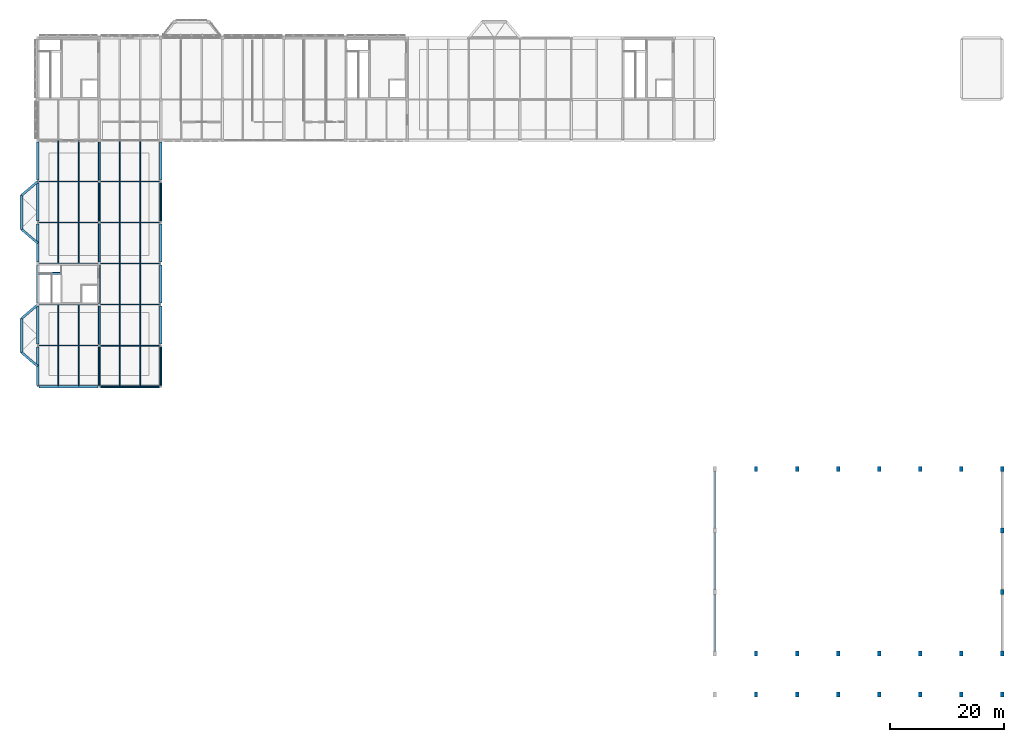
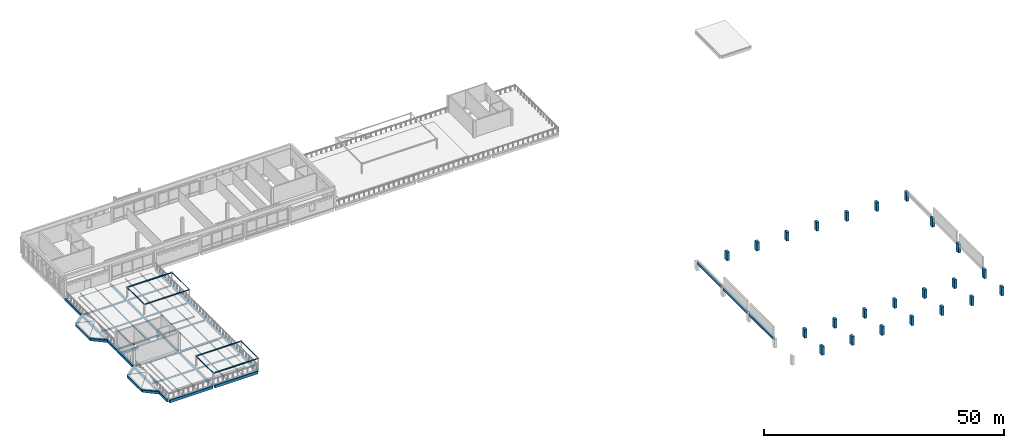
# One storey, part 7 of 33: 62 beams, 23 columns, 8 members.
"""IFC4 building model written with IfcOpenShell, lengths in metres."""

from ifc_helpers import new_model, si_unit, direction, frame, origin, origin_2d, place, context, subcontext, project, spatial, rectangle, hollow_rectangle, hollow_circle, i_section, extrude, material, material_profile, profile_set, type_object, element, save


model = new_model("IFC4")

# Units and contexts
model_context = context("Model", 3, precision=1e-05, world=origin(), true_north=direction((0.0, 1.0)))
body_context = subcontext(model_context, "Body", "Model", "MODEL_VIEW")
ifc_project = project(units=[si_unit("LENGTHUNIT", "METRE"), si_unit("AREAUNIT", "SQUARE_METRE"), si_unit("VOLUMEUNIT", "CUBIC_METRE"), si_unit("PLANEANGLEUNIT", "RADIAN"), si_unit("MASSUNIT", "GRAM", prefix="KILO")], contexts=[model_context])

# Site, building, storey
site_placement = place(None, origin())
site = spatial("IfcSite", under=ifc_project, at=site_placement, CompositionType="ELEMENT")
building_placement = place(site_placement, origin())
building = spatial("IfcBuilding", under=site, at=building_placement, Name="Lusvemor Sports Hall", CompositionType="ELEMENT")
storey_placement = place(building_placement, frame((0.0, 0.0, 19.199951171875)))
storey = spatial("IfcBuildingStorey", under=building, at=storey_placement, Name="L04", CompositionType="ELEMENT", Elevation=19.199951171875)

# Columns
ifc_material_1 = material(Name="Concrete C40/50", Category="concrete")
ifc_material_profile_1 = material_profile(ifc_material_1, rectangle(XDim=0.60009765625, YDim=0.89990234375, at=origin_2d()), Name="RC600x900")
ifc_profile_set_1 = profile_set([ifc_material_profile_1], Name="Concrete C40/50")
column_type = type_object("IfcColumnType", Name="COL_STACK_E", PredefinedType="COLUMN", material=ifc_profile_set_1)
for number, where, z_axis, x_axis, name in (
    (1, (126.0, 0.0, 0.0), (0.0, 0.0, 1.0), (1.0, 0.0, 0.0), "Column 14/A (L04)"),
    (2, (126.0, 7.199951171875, 0.0), (0.0, 0.0, 1.0), (1.0, 0.0, 0.0), "Column 14/B (L04)"),
    (3, (126.0, 39.60009765625, 0.0), (0.0, 0.0, 1.0), (1.0, 0.0, 0.0), "Column 14/E (L04)"),
    (4, (133.199951171875, 0.0, 0.0), (0.0, 0.0, 1.0), (1.0, 0.0, 0.0), "Column 15/A (L04)"),
    (5, (133.199951171875, 7.199951171875, 0.0), (0.0, 0.0, 1.0), (1.0, 0.0, 0.0), "Column 15/B (L04)"),
    (6, (133.199951171875, 39.60009765625, 0.0), (0.0, 0.0, 1.0), (1.0, 0.0, 0.0), "Column 15/E (L04)"),
    (7, (140.39990234375, 0.0, 0.0), (0.0, 0.0, 1.0), (1.0, 0.0, 0.0), "Column 16/A (L04)"),
    (8, (140.39990234375, 7.199951171875, 0.0), (0.0, 0.0, 1.0), (1.0, 0.0, 0.0), "Column 16/B (L04)"),
    (9, (140.39990234375, 39.60009765625, 0.0), (0.0, 0.0, 1.0), (1.0, 0.0, 0.0), "Column 16/E (L04)"),
    (10, (147.60009765625, 0.0, 0.0), (0.0, 0.0, 1.0), (1.0, 0.0, 0.0), "Column 17/A (L04)"),
    (11, (147.60009765625, 7.199951171875, 0.0), (0.0, 0.0, 1.0), (1.0, 0.0, 0.0), "Column 17/B (L04)"),
    (12, (147.60009765625, 39.60009765625, 0.0), (0.0, 0.0, 1.0), (1.0, 0.0, 0.0), "Column 17/E (L04)"),
    (13, (154.800048828125, 0.0, 0.0), (0.0, 0.0, 1.0), (1.0, 0.0, 0.0), "Column 18/A (L04)"),
    (14, (154.800048828125, 7.199951171875, 0.0), (0.0, 0.0, 1.0), (1.0, 0.0, 0.0), "Column 18/B (L04)"),
    (15, (154.800048828125, 39.60009765625, 0.0), (0.0, 0.0, 1.0), (1.0, 0.0, 0.0), "Column 18/E (L04)"),
    (16, (162.0, 0.0, 0.0), (0.0, 0.0, 1.0), (1.0, 0.0, 0.0), "Column 19/A (L04)"),
    (17, (162.0, 7.199951171875, 0.0), (0.0, 0.0, 1.0), (1.0, 0.0, 0.0), "Column 19/B (L04)"),
    (18, (162.0, 39.60009765625, 0.0), (0.0, 0.0, 1.0), (1.0, 0.0, 0.0), "Column 19/E (L04)"),
    (19, (169.199951171875, 0.0, 0.0), (0.0, 0.0, 1.0), (1.0, 0.0, 0.0), "Column 20/A (L04)"),
    (20, (169.199951171875, 7.199951171875, 0.0), (0.0, 0.0, 1.0), (1.0, 0.0, 0.0), "Column 20/B (L04)"),
    (21, (169.199951171875, 18.0, 0.0), (0.0, 0.0, 1.0), (1.0, 0.0, 0.0), "Column 20/C (L04)"),
    (22, (169.199951171875, 28.800048828125, 0.0), (0.0, 0.0, 1.0), (1.0, 0.0, 0.0), "Column 20/D (L04)"),
    (23, (169.199951171875, 39.60009765625, 0.0), (0.0, 0.0, 1.0), (1.0, 0.0, 0.0), "Column 20/E (L04)"),
):
    element("IfcColumn", number, at=place(storey_placement, frame(where, z_axis=z_axis, x_axis=x_axis)), inside=storey, type_object=column_type, Name=name, PredefinedType="COLUMN", context=body_context, shape_type="SweptSolid", body=[
        extrude(rectangle(XDim=0.60009765625, YDim=0.89990234375, at=origin_2d()), origin(), (0.0, 0.0, 1.0), 2.239990234375),
    ])

# Beams
ifc_material_2 = material(Name="Concrete C40/50", Category="concrete")
ifc_material_profile_2 = material_profile(ifc_material_2, rectangle(XDim=0.35009765625, YDim=0.550048828125, at=origin_2d()), Name="RC350x550")
ifc_profile_set_2 = profile_set([ifc_material_profile_2], Name="Concrete C40/50")
beam_type_1 = type_object("IfcBeamType", Name="BEAM_RC_550", PredefinedType="BEAM", material=ifc_profile_set_2)
for number, where, z_axis, x_axis, name in (
    (24, (10.800048828125, 54.24609375, -0.58984375), (0.0, 1.0, 0.0), (-1.0, 0.0, 0.0), "Beam L04 2:G-H"),
    (25, (10.800048828125, 61.446044921875, -0.58984375), (0.0, 1.0, 0.0), (-1.0, 0.0, 0.0), "Beam L04 2:H-J"),
    (26, (10.800048828125, 68.64599609375, -0.58984375), (0.0, 1.0, 0.0), (-1.0, 0.0, 0.0), "Beam L04 2:J-K"),
    (27, (10.800048828125, 75.845947265625, -0.58984375), (0.0, 1.0, 0.0), (-1.0, 0.0, 0.0), "Beam L04 2:K-L"),
    (28, (10.800048828125, 83.0458984375, -0.58984375), (0.0, 1.0, 0.0), (-1.0, 0.0, 0.0), "Beam L04 2:L-M"),
    (29, (10.800048828125, 90.24609375, -0.58984375), (0.0, 1.0, 0.0), (-1.0, 0.0, 0.0), "Beam L04 2:M-N"),
):
    element("IfcBeam", number, at=place(storey_placement, frame(where, z_axis=z_axis, x_axis=x_axis)), inside=storey, type_object=beam_type_1, Name=name, PredefinedType="BEAM", context=body_context, shape_type="SweptSolid", body=[
        extrude(rectangle(XDim=0.35009765625, YDim=0.550048828125, at=origin_2d()), origin(), (0.0, 0.0, 1.0), 6.7080078125),
    ])
beam_1_placement = place(storey_placement, frame((0.159912109375, 73.8798828125, -0.454833984375), z_axis=(1.0, 0.0, 0.0), x_axis=(0.0, 1.0, 0.0)))
element("IfcBeam", 30, at=beam_1_placement, inside=storey, type_object=beam_type_1, Name="Stair STR-C3-L03 Top-Landing Beam", PredefinedType="BEAM", context=body_context, shape_type="SweptSolid", body=[
    extrude(rectangle(XDim=0.35009765625, YDim=0.550048828125, at=origin_2d()), origin(), (0.0, 0.0, 1.0), 3.97998046875),
])
ifc_material_3 = material(Name="Steel S355", Category="steel")
ifc_material_profile_3 = material_profile(ifc_material_3, i_section(OverallWidth=0.180908203125, OverallDepth=0.4169921875, WebThickness=0.010986328125, FlangeThickness=0.018310546875, FilletRadius=0.01611328125, at=origin_2d()), Name="W410x85.0")
ifc_profile_set_3 = profile_set([ifc_material_profile_3], Name="Steel S355")
beam_type_2 = type_object("IfcBeamType", Name="BEAM_ST_410H", PredefinedType="BEAM", material=ifc_profile_set_3)
beam_2_placement = place(storey_placement, frame((0.236083984375, 61.199951171875, -0.52734375), z_axis=(1.0, 0.0, 0.0), x_axis=(0.0, 1.0, 0.0)))
element("IfcBeam", 31, at=beam_2_placement, inside=storey, type_object=beam_type_2, Name="Beam L04 H:1-2", PredefinedType="BEAM", context=body_context, shape_type="SweptSolid", body=[
    extrude(i_section(OverallWidth=0.180908203125, OverallDepth=0.4169921875, WebThickness=0.010986328125, FlangeThickness=0.018310546875, FilletRadius=0.01611328125, at=origin_2d()), origin(), (0.0, 0.0, 1.0), 10.31787109375),
])
beam_3_placement = place(storey_placement, frame((11.0458984375, 61.199951171875, -0.52734375), z_axis=(1.0, 0.0, 0.0), x_axis=(0.0, 1.0, 0.0)))
element("IfcBeam", 32, at=beam_3_placement, inside=storey, type_object=beam_type_2, Name="Beam L04 H:2-3", PredefinedType="BEAM", context=body_context, shape_type="SweptSolid", body=[
    extrude(i_section(OverallWidth=0.180908203125, OverallDepth=0.4169921875, WebThickness=0.010986328125, FlangeThickness=0.018310546875, FilletRadius=0.01611328125, at=origin_2d()), origin(), (0.0, 0.0, 1.0), 10.318115234375),
])
beam_4_placement = place(storey_placement, frame((0.236083984375, 68.39990234375, -0.52734375), z_axis=(1.0, 0.0, 0.0), x_axis=(0.0, 1.0, 0.0)))
element("IfcBeam", 33, at=beam_4_placement, inside=storey, type_object=beam_type_2, Name="Beam L04 J:1-2", PredefinedType="BEAM", context=body_context, shape_type="SweptSolid", body=[
    extrude(i_section(OverallWidth=0.180908203125, OverallDepth=0.4169921875, WebThickness=0.010986328125, FlangeThickness=0.018310546875, FilletRadius=0.01611328125, at=origin_2d()), origin(), (0.0, 0.0, 1.0), 10.31787109375),
])
beam_5_placement = place(storey_placement, frame((11.0458984375, 68.39990234375, -0.52734375), z_axis=(1.0, 0.0, 0.0), x_axis=(0.0, 1.0, 0.0)))
element("IfcBeam", 34, at=beam_5_placement, inside=storey, type_object=beam_type_2, Name="Beam L04 J:2-3", PredefinedType="BEAM", context=body_context, shape_type="SweptSolid", body=[
    extrude(i_section(OverallWidth=0.180908203125, OverallDepth=0.4169921875, WebThickness=0.010986328125, FlangeThickness=0.018310546875, FilletRadius=0.01611328125, at=origin_2d()), origin(), (0.0, 0.0, 1.0), 10.318115234375),
])
beam_6_placement = place(storey_placement, frame((0.236083984375, 75.60009765625, -0.52734375), z_axis=(1.0, 0.0, 0.0), x_axis=(0.0, 1.0, 0.0)))
element("IfcBeam", 35, at=beam_6_placement, inside=storey, type_object=beam_type_2, Name="Beam L04 K:1-2", PredefinedType="BEAM", context=body_context, shape_type="SweptSolid", body=[
    extrude(i_section(OverallWidth=0.180908203125, OverallDepth=0.4169921875, WebThickness=0.010986328125, FlangeThickness=0.018310546875, FilletRadius=0.01611328125, at=origin_2d()), origin(), (0.0, 0.0, 1.0), 10.31787109375),
])
beam_7_placement = place(storey_placement, frame((11.0458984375, 75.60009765625, -0.52734375), z_axis=(1.0, 0.0, 0.0), x_axis=(0.0, 1.0, 0.0)))
element("IfcBeam", 36, at=beam_7_placement, inside=storey, type_object=beam_type_2, Name="Beam L04 K:2-3", PredefinedType="BEAM", context=body_context, shape_type="SweptSolid", body=[
    extrude(i_section(OverallWidth=0.180908203125, OverallDepth=0.4169921875, WebThickness=0.010986328125, FlangeThickness=0.018310546875, FilletRadius=0.01611328125, at=origin_2d()), origin(), (0.0, 0.0, 1.0), 10.318115234375),
])
beam_8_placement = place(storey_placement, frame((0.236083984375, 82.800048828125, -0.52734375), z_axis=(1.0, 0.0, 0.0), x_axis=(0.0, 1.0, 0.0)))
element("IfcBeam", 37, at=beam_8_placement, inside=storey, type_object=beam_type_2, Name="Beam L04 L:1-2", PredefinedType="BEAM", context=body_context, shape_type="SweptSolid", body=[
    extrude(i_section(OverallWidth=0.180908203125, OverallDepth=0.4169921875, WebThickness=0.010986328125, FlangeThickness=0.018310546875, FilletRadius=0.01611328125, at=origin_2d()), origin(), (0.0, 0.0, 1.0), 10.31787109375),
])
beam_9_placement = place(storey_placement, frame((11.0458984375, 82.800048828125, -0.52734375), z_axis=(1.0, 0.0, 0.0), x_axis=(0.0, 1.0, 0.0)))
element("IfcBeam", 38, at=beam_9_placement, inside=storey, type_object=beam_type_2, Name="Beam L04 L:2-3", PredefinedType="BEAM", context=body_context, shape_type="SweptSolid", body=[
    extrude(i_section(OverallWidth=0.180908203125, OverallDepth=0.4169921875, WebThickness=0.010986328125, FlangeThickness=0.018310546875, FilletRadius=0.01611328125, at=origin_2d()), origin(), (0.0, 0.0, 1.0), 10.318115234375),
])
beam_10_placement = place(storey_placement, frame((0.236083984375, 90.0, -0.52734375), z_axis=(1.0, 0.0, 0.0), x_axis=(0.0, 1.0, 0.0)))
element("IfcBeam", 39, at=beam_10_placement, inside=storey, type_object=beam_type_2, Name="Beam L04 M:1-2", PredefinedType="BEAM", context=body_context, shape_type="SweptSolid", body=[
    extrude(i_section(OverallWidth=0.180908203125, OverallDepth=0.4169921875, WebThickness=0.010986328125, FlangeThickness=0.018310546875, FilletRadius=0.01611328125, at=origin_2d()), origin(), (0.0, 0.0, 1.0), 10.31787109375),
])
beam_11_placement = place(storey_placement, frame((11.0458984375, 90.0, -0.52734375), z_axis=(1.0, 0.0, 0.0), x_axis=(0.0, 1.0, 0.0)))
element("IfcBeam", 40, at=beam_11_placement, inside=storey, type_object=beam_type_2, Name="Beam L04 M:2-3", PredefinedType="BEAM", context=body_context, shape_type="SweptSolid", body=[
    extrude(i_section(OverallWidth=0.180908203125, OverallDepth=0.4169921875, WebThickness=0.010986328125, FlangeThickness=0.018310546875, FilletRadius=0.01611328125, at=origin_2d()), origin(), (0.0, 0.0, 1.0), 10.318115234375),
])

# Members
ifc_material_4 = material(Name="Steel S355", Category="steel")
ifc_material_profile_4 = material_profile(ifc_material_4, hollow_circle(Radius=0.05712890625, WallThickness=0.00634765625, at=origin_2d()), Name="CHS114.3x6.3")
ifc_profile_set_4 = profile_set([ifc_material_profile_4], Name="Steel S355")
member_type_1 = type_object("IfcMemberType", Name="BRACE_CANOPY_114", PredefinedType="BRACE", material=ifc_profile_set_4)
for number, where, z_axis, x_axis, name in (
    (41, (10.800048828125, 54.0, 2.760009765625), (0.0, 1.0, 0.0), (-1.0, 0.0, 0.0), "Pergola Longitudinal Runner PERG-L04-WS-A"),
    (42, (21.60009765625, 54.0, 2.760009765625), (0.0, 1.0, 0.0), (-1.0, 0.0, 0.0), "Pergola Longitudinal Runner PERG-L04-WS-B"),
    (43, (10.800048828125, 82.800048828125, 2.760009765625), (0.0, 1.0, 0.0), (-1.0, 0.0, 0.0), "Pergola Longitudinal Runner PERG-L04-WN-A"),
    (44, (21.60009765625, 82.800048828125, 2.760009765625), (0.0, 1.0, 0.0), (-1.0, 0.0, 0.0), "Pergola Longitudinal Runner PERG-L04-WN-B"),
):
    element("IfcMember", number, at=place(storey_placement, frame(where, z_axis=z_axis, x_axis=x_axis)), inside=storey, type_object=member_type_1, Name=name, PredefinedType="BRACE", context=body_context, shape_type="SweptSolid", body=[
        extrude(hollow_circle(Radius=0.05712890625, WallThickness=0.00634765625, at=origin_2d()), origin(), (0.0, 0.0, 1.0), 7.199951171875),
    ])

# Beams
ifc_material_5 = material(Name="Steel S355", Category="steel")
ifc_material_profile_5 = material_profile(ifc_material_5, i_section(OverallWidth=0.14794921875, OverallDepth=0.26611328125, WebThickness=0.007568359375, FlangeThickness=0.012939453125, FilletRadius=0.012939453125, at=origin_2d()), Name="W250x44.8")
ifc_profile_set_5 = profile_set([ifc_material_profile_5], Name="Steel S355")
beam_type_3 = type_object("IfcBeamType", Name="JOIST_ST_250M", PredefinedType="JOIST", material=ifc_profile_set_5)
beam_12_placement = place(storey_placement, frame((7.199951171875, 54.196044921875, -0.451904296875), z_axis=(0.0, 1.0, 0.0), x_axis=(-1.0, 0.0, 0.0)))
element("IfcBeam", 45, at=beam_12_placement, inside=storey, type_object=beam_type_3, Name="Secondary Joist L04 1-2/G-H #2", PredefinedType="JOIST", context=body_context, shape_type="SweptSolid", body=[
    extrude(i_section(OverallWidth=0.14794921875, OverallDepth=0.26611328125, WebThickness=0.007568359375, FlangeThickness=0.012939453125, FilletRadius=0.012939453125, at=origin_2d()), origin(), (0.0, 0.0, 1.0), 6.91748046875),
])
for number, where, z_axis, x_axis, name in (
    (46, (7.199951171875, 61.28662109375, -0.451904296875), (0.0, 1.0, 0.0), (-1.0, 0.0, 0.0), "Secondary Joist L04 1-2/H-J #2"),
    (47, (7.199951171875, 75.6865234375, -0.451904296875), (0.0, 1.0, 0.0), (-1.0, 0.0, 0.0), "Secondary Joist L04 1-2/K-L #2"),
):
    element("IfcBeam", number, at=place(storey_placement, frame(where, z_axis=z_axis, x_axis=x_axis)), inside=storey, type_object=beam_type_3, Name=name, PredefinedType="JOIST", context=body_context, shape_type="SweptSolid", body=[
        extrude(i_section(OverallWidth=0.14794921875, OverallDepth=0.26611328125, WebThickness=0.007568359375, FlangeThickness=0.012939453125, FilletRadius=0.012939453125, at=origin_2d()), origin(), (0.0, 0.0, 1.0), 7.02685546875),
    ])
for number, where, z_axis, x_axis, name in (
    (48, (7.199951171875, 82.886474609375, -0.451904296875), (0.0, 1.0, 0.0), (-1.0, 0.0, 0.0), "Secondary Joist L04 1-2/L-M #2"),
    (49, (7.199951171875, 90.08642578125, -0.451904296875), (0.0, 1.0, 0.0), (-1.0, 0.0, 0.0), "Secondary Joist L04 1-2/M-N #2"),
):
    element("IfcBeam", number, at=place(storey_placement, frame(where, z_axis=z_axis, x_axis=x_axis)), inside=storey, type_object=beam_type_3, Name=name, PredefinedType="JOIST", context=body_context, shape_type="SweptSolid", body=[
        extrude(i_section(OverallWidth=0.14794921875, OverallDepth=0.26611328125, WebThickness=0.007568359375, FlangeThickness=0.012939453125, FilletRadius=0.012939453125, at=origin_2d()), origin(), (0.0, 0.0, 1.0), 7.027099609375),
    ])
beam_13_placement = place(storey_placement, frame((18.0, 54.196044921875, -0.451904296875), z_axis=(0.0, 1.0, 0.0), x_axis=(-1.0, 0.0, 0.0)))
element("IfcBeam", 50, at=beam_13_placement, inside=storey, type_object=beam_type_3, Name="Secondary Joist L04 2-3/G-H #2", PredefinedType="JOIST", context=body_context, shape_type="SweptSolid", body=[
    extrude(i_section(OverallWidth=0.14794921875, OverallDepth=0.26611328125, WebThickness=0.007568359375, FlangeThickness=0.012939453125, FilletRadius=0.012939453125, at=origin_2d()), origin(), (0.0, 0.0, 1.0), 6.91748046875),
])
for number, where, z_axis, x_axis, name in (
    (51, (18.0, 61.28662109375, -0.451904296875), (0.0, 1.0, 0.0), (-1.0, 0.0, 0.0), "Secondary Joist L04 2-3/H-J #2"),
    (52, (18.0, 68.486572265625, -0.451904296875), (0.0, 1.0, 0.0), (-1.0, 0.0, 0.0), "Secondary Joist L04 2-3/J-K #2"),
    (53, (18.0, 75.6865234375, -0.451904296875), (0.0, 1.0, 0.0), (-1.0, 0.0, 0.0), "Secondary Joist L04 2-3/K-L #2"),
):
    element("IfcBeam", number, at=place(storey_placement, frame(where, z_axis=z_axis, x_axis=x_axis)), inside=storey, type_object=beam_type_3, Name=name, PredefinedType="JOIST", context=body_context, shape_type="SweptSolid", body=[
        extrude(i_section(OverallWidth=0.14794921875, OverallDepth=0.26611328125, WebThickness=0.007568359375, FlangeThickness=0.012939453125, FilletRadius=0.012939453125, at=origin_2d()), origin(), (0.0, 0.0, 1.0), 7.02685546875),
    ])
for number, where, z_axis, x_axis, name in (
    (54, (18.0, 82.886474609375, -0.451904296875), (0.0, 1.0, 0.0), (-1.0, 0.0, 0.0), "Secondary Joist L04 2-3/L-M #2"),
    (55, (18.0, 90.08642578125, -0.451904296875), (0.0, 1.0, 0.0), (-1.0, 0.0, 0.0), "Secondary Joist L04 2-3/M-N #2"),
):
    element("IfcBeam", number, at=place(storey_placement, frame(where, z_axis=z_axis, x_axis=x_axis)), inside=storey, type_object=beam_type_3, Name=name, PredefinedType="JOIST", context=body_context, shape_type="SweptSolid", body=[
        extrude(i_section(OverallWidth=0.14794921875, OverallDepth=0.26611328125, WebThickness=0.007568359375, FlangeThickness=0.012939453125, FilletRadius=0.012939453125, at=origin_2d()), origin(), (0.0, 0.0, 1.0), 7.027099609375),
    ])
ifc_material_6 = material(Name="Steel S355", Category="steel")
ifc_material_profile_6 = material_profile(ifc_material_6, i_section(OverallWidth=0.1669921875, OverallDepth=0.31689453125, WebThickness=0.007568359375, FlangeThickness=0.01318359375, FilletRadius=0.014892578125, at=origin_2d()), Name="W310x52.0")
ifc_profile_set_6 = profile_set([ifc_material_profile_6], Name="Steel S355")
beam_type_4 = type_object("IfcBeamType", Name="JOIST_ST_310M", PredefinedType="JOIST", material=ifc_profile_set_6)
beam_14_placement = place(storey_placement, frame((3.60009765625, 54.196044921875, -0.4775390625), z_axis=(0.0, 1.0, 0.0), x_axis=(-1.0, 0.0, 0.0)))
element("IfcBeam", 56, at=beam_14_placement, inside=storey, type_object=beam_type_4, Name="Secondary Joist L04 1-2/G-H #1", PredefinedType="JOIST", context=body_context, shape_type="SweptSolid", body=[
    extrude(i_section(OverallWidth=0.1669921875, OverallDepth=0.31689453125, WebThickness=0.007568359375, FlangeThickness=0.01318359375, FilletRadius=0.014892578125, at=origin_2d()), origin(), (0.0, 0.0, 1.0), 6.91748046875),
])
for number, where, z_axis, x_axis, name in (
    (57, (3.60009765625, 61.28662109375, -0.4775390625), (0.0, 1.0, 0.0), (-1.0, 0.0, 0.0), "Secondary Joist L04 1-2/H-J #1"),
    (58, (3.60009765625, 75.6865234375, -0.4775390625), (0.0, 1.0, 0.0), (-1.0, 0.0, 0.0), "Secondary Joist L04 1-2/K-L #1"),
):
    element("IfcBeam", number, at=place(storey_placement, frame(where, z_axis=z_axis, x_axis=x_axis)), inside=storey, type_object=beam_type_4, Name=name, PredefinedType="JOIST", context=body_context, shape_type="SweptSolid", body=[
        extrude(i_section(OverallWidth=0.1669921875, OverallDepth=0.31689453125, WebThickness=0.007568359375, FlangeThickness=0.01318359375, FilletRadius=0.014892578125, at=origin_2d()), origin(), (0.0, 0.0, 1.0), 7.02685546875),
    ])
for number, where, z_axis, x_axis, name in (
    (59, (3.60009765625, 82.886474609375, -0.4775390625), (0.0, 1.0, 0.0), (-1.0, 0.0, 0.0), "Secondary Joist L04 1-2/L-M #1"),
    (60, (3.60009765625, 90.08642578125, -0.4775390625), (0.0, 1.0, 0.0), (-1.0, 0.0, 0.0), "Secondary Joist L04 1-2/M-N #1"),
):
    element("IfcBeam", number, at=place(storey_placement, frame(where, z_axis=z_axis, x_axis=x_axis)), inside=storey, type_object=beam_type_4, Name=name, PredefinedType="JOIST", context=body_context, shape_type="SweptSolid", body=[
        extrude(i_section(OverallWidth=0.1669921875, OverallDepth=0.31689453125, WebThickness=0.007568359375, FlangeThickness=0.01318359375, FilletRadius=0.014892578125, at=origin_2d()), origin(), (0.0, 0.0, 1.0), 7.027099609375),
    ])
beam_15_placement = place(storey_placement, frame((14.39990234375, 54.196044921875, -0.4775390625), z_axis=(0.0, 1.0, 0.0), x_axis=(-1.0, 0.0, 0.0)))
element("IfcBeam", 61, at=beam_15_placement, inside=storey, type_object=beam_type_4, Name="Secondary Joist L04 2-3/G-H #1", PredefinedType="JOIST", context=body_context, shape_type="SweptSolid", body=[
    extrude(i_section(OverallWidth=0.1669921875, OverallDepth=0.31689453125, WebThickness=0.007568359375, FlangeThickness=0.01318359375, FilletRadius=0.014892578125, at=origin_2d()), origin(), (0.0, 0.0, 1.0), 6.91748046875),
])
for number, where, z_axis, x_axis, name in (
    (62, (14.39990234375, 61.28662109375, -0.4775390625), (0.0, 1.0, 0.0), (-1.0, 0.0, 0.0), "Secondary Joist L04 2-3/H-J #1"),
    (63, (14.39990234375, 68.486572265625, -0.4775390625), (0.0, 1.0, 0.0), (-1.0, 0.0, 0.0), "Secondary Joist L04 2-3/J-K #1"),
    (64, (14.39990234375, 75.6865234375, -0.4775390625), (0.0, 1.0, 0.0), (-1.0, 0.0, 0.0), "Secondary Joist L04 2-3/K-L #1"),
):
    element("IfcBeam", number, at=place(storey_placement, frame(where, z_axis=z_axis, x_axis=x_axis)), inside=storey, type_object=beam_type_4, Name=name, PredefinedType="JOIST", context=body_context, shape_type="SweptSolid", body=[
        extrude(i_section(OverallWidth=0.1669921875, OverallDepth=0.31689453125, WebThickness=0.007568359375, FlangeThickness=0.01318359375, FilletRadius=0.014892578125, at=origin_2d()), origin(), (0.0, 0.0, 1.0), 7.02685546875),
    ])
for number, where, z_axis, x_axis, name in (
    (65, (14.39990234375, 82.886474609375, -0.4775390625), (0.0, 1.0, 0.0), (-1.0, 0.0, 0.0), "Secondary Joist L04 2-3/L-M #1"),
    (66, (14.39990234375, 90.08642578125, -0.4775390625), (0.0, 1.0, 0.0), (-1.0, 0.0, 0.0), "Secondary Joist L04 2-3/M-N #1"),
):
    element("IfcBeam", number, at=place(storey_placement, frame(where, z_axis=z_axis, x_axis=x_axis)), inside=storey, type_object=beam_type_4, Name=name, PredefinedType="JOIST", context=body_context, shape_type="SweptSolid", body=[
        extrude(i_section(OverallWidth=0.1669921875, OverallDepth=0.31689453125, WebThickness=0.007568359375, FlangeThickness=0.01318359375, FilletRadius=0.014892578125, at=origin_2d()), origin(), (0.0, 0.0, 1.0), 7.027099609375),
    ])
ifc_material_7 = material(Name="Concrete C40/50", Category="concrete")
ifc_material_profile_7 = material_profile(ifc_material_7, rectangle(XDim=0.39990234375, YDim=0.610107421875, at=origin_2d()), Name="RC400x610")
ifc_profile_set_7 = profile_set([ifc_material_profile_7], Name="Concrete C40/50")
beam_type_5 = type_object("IfcBeamType", Name="SPAND_EXT_650", PredefinedType="SPANDREL", material=ifc_profile_set_7)
for number, where, z_axis, x_axis, name in (
    (67, (0.0, 54.26611328125, -0.619873046875), (0.0, 1.0, 0.0), (-1.0, 0.0, 0.0), "Beam L04 1:G-H"),
    (68, (0.0, 61.466064453125, -0.619873046875), (0.0, 1.0, 0.0), (-1.0, 0.0, 0.0), "Beam L04 1:H-J"),
    (69, (0.0, 68.666015625, -0.619873046875), (0.0, 1.0, 0.0), (-1.0, 0.0, 0.0), "Beam L04 1:J-K"),
    (70, (0.0, 75.865966796875, -0.619873046875), (0.0, 1.0, 0.0), (-1.0, 0.0, 0.0), "Beam L04 1:K-L"),
    (71, (0.0, 83.06591796875, -0.619873046875), (0.0, 1.0, 0.0), (-1.0, 0.0, 0.0), "Beam L04 1:L-M"),
    (72, (0.0, 90.26611328125, -0.619873046875), (0.0, 1.0, 0.0), (-1.0, 0.0, 0.0), "Beam L04 1:M-N"),
    (73, (21.60009765625, 54.26611328125, -0.619873046875), (0.0, 1.0, 0.0), (-1.0, 0.0, 0.0), "Beam L04 3:G-H"),
    (74, (21.60009765625, 61.466064453125, -0.619873046875), (0.0, 1.0, 0.0), (-1.0, 0.0, 0.0), "Beam L04 3:H-J"),
    (75, (21.60009765625, 68.666015625, -0.619873046875), (0.0, 1.0, 0.0), (-1.0, 0.0, 0.0), "Beam L04 3:J-K"),
    (76, (21.60009765625, 75.865966796875, -0.619873046875), (0.0, 1.0, 0.0), (-1.0, 0.0, 0.0), "Beam L04 3:K-L"),
    (77, (21.60009765625, 83.06591796875, -0.619873046875), (0.0, 1.0, 0.0), (-1.0, 0.0, 0.0), "Beam L04 3:L-M"),
    (78, (21.60009765625, 90.26611328125, -0.619873046875), (0.0, 1.0, 0.0), (-1.0, 0.0, 0.0), "Beam L04 3:M-N"),
):
    element("IfcBeam", number, at=place(storey_placement, frame(where, z_axis=z_axis, x_axis=x_axis)), inside=storey, type_object=beam_type_5, Name=name, PredefinedType="SPANDREL", context=body_context, shape_type="SweptSolid", body=[
        extrude(rectangle(XDim=0.39990234375, YDim=0.610107421875, at=origin_2d()), origin(), (0.0, 0.0, 1.0), 6.66796875),
    ])
for number, where, z_axis, x_axis, name in (
    (79, (118.800048828125, 7.550048828125, 1.905029296875), (0.0, 1.0, 0.0), (-1.0, 0.0, 0.0), "East Vault Tympanum Tie Girt W-1"),
    (80, (118.800048828125, 18.35009765625, 1.905029296875), (0.0, 1.0, 0.0), (-1.0, 0.0, 0.0), "East Vault Tympanum Tie Girt W-2"),
):
    element("IfcBeam", number, at=place(storey_placement, frame(where, z_axis=z_axis, x_axis=x_axis)), inside=storey, type_object=beam_type_5, Name=name, PredefinedType="SPANDREL", context=body_context, shape_type="SweptSolid", body=[
        extrude(rectangle(XDim=0.39990234375, YDim=0.610107421875, at=origin_2d()), origin(), (0.0, 0.0, 1.0), 10.099853515625),
    ])
beam_16_placement = place(storey_placement, frame((118.800048828125, 29.14990234375, 1.905029296875), z_axis=(0.0, 1.0, 0.0), x_axis=(-1.0, 0.0, 0.0)))
element("IfcBeam", 81, at=beam_16_placement, inside=storey, type_object=beam_type_5, Name="East Vault Tympanum Tie Girt W-3", PredefinedType="SPANDREL", context=body_context, shape_type="SweptSolid", body=[
    extrude(rectangle(XDim=0.39990234375, YDim=0.610107421875, at=origin_2d()), origin(), (0.0, 0.0, 1.0), 10.10009765625),
])
beam_17_placement = place(storey_placement, frame((0.0, 57.60009765625, -0.56494140625), z_axis=(-0.759275294494, 0.650769565339, 0.0), x_axis=(-0.650769565339, -0.759275294494, 0.0)))
element("IfcBeam", 82, at=beam_17_placement, inside=storey, type_object=beam_type_5, Name="Bow Pavilion Edge Beam BOW-W1 L04-1", PredefinedType="SPANDREL", context=body_context, shape_type="SweptSolid", body=[
    extrude(rectangle(XDim=0.39990234375, YDim=0.610107421875, at=origin_2d()), origin(), (0.0, 0.0, 1.0), 3.687744140625),
])
beam_18_placement = place(storey_placement, frame((-2.800048828125, 60.0, -0.56494140625), z_axis=(0.0, 1.0, 0.0), x_axis=(-1.0, 0.0, 0.0)))
element("IfcBeam", 83, at=beam_18_placement, inside=storey, type_object=beam_type_5, Name="Bow Pavilion Edge Beam BOW-W1 L04-2", PredefinedType="SPANDREL", context=body_context, shape_type="SweptSolid", body=[
    extrude(rectangle(XDim=0.39990234375, YDim=0.610107421875, at=origin_2d()), origin(), (0.0, 0.0, 1.0), 6.0),
])
beam_19_placement = place(storey_placement, frame((-2.800048828125, 66.0, -0.56494140625), z_axis=(0.759275294494, 0.650769565339, 0.0), x_axis=(-0.650769565339, 0.759275294494, 0.0)))
element("IfcBeam", 84, at=beam_19_placement, inside=storey, type_object=beam_type_5, Name="Bow Pavilion Edge Beam BOW-W1 L04-3", PredefinedType="SPANDREL", context=body_context, shape_type="SweptSolid", body=[
    extrude(rectangle(XDim=0.39990234375, YDim=0.610107421875, at=origin_2d()), origin(), (0.0, 0.0, 1.0), 3.687744140625),
])
beam_20_placement = place(storey_placement, frame((0.0, 79.199951171875, -0.56494140625), z_axis=(-0.759242583462, 0.650807728487, 0.0), x_axis=(-0.650807728487, -0.759242583462, 0.0)))
element("IfcBeam", 85, at=beam_20_placement, inside=storey, type_object=beam_type_5, Name="Bow Pavilion Edge Beam BOW-W2 L04-1", PredefinedType="SPANDREL", context=body_context, shape_type="SweptSolid", body=[
    extrude(rectangle(XDim=0.39990234375, YDim=0.610107421875, at=origin_2d()), origin(), (0.0, 0.0, 1.0), 3.68798828125),
])
beam_21_placement = place(storey_placement, frame((-2.800048828125, 81.60009765625, -0.56494140625), z_axis=(0.0, 1.0, 0.0), x_axis=(-1.0, 0.0, 0.0)))
element("IfcBeam", 86, at=beam_21_placement, inside=storey, type_object=beam_type_5, Name="Bow Pavilion Edge Beam BOW-W2 L04-2", PredefinedType="SPANDREL", context=body_context, shape_type="SweptSolid", body=[
    extrude(rectangle(XDim=0.39990234375, YDim=0.610107421875, at=origin_2d()), origin(), (0.0, 0.0, 1.0), 6.0),
])
beam_22_placement = place(storey_placement, frame((-2.800048828125, 87.60009765625, -0.56494140625), z_axis=(0.759275294494, 0.650769565339, 0.0), x_axis=(-0.650769565339, 0.759275294494, 0.0)))
element("IfcBeam", 87, at=beam_22_placement, inside=storey, type_object=beam_type_5, Name="Bow Pavilion Edge Beam BOW-W2 L04-3", PredefinedType="SPANDREL", context=body_context, shape_type="SweptSolid", body=[
    extrude(rectangle(XDim=0.39990234375, YDim=0.610107421875, at=origin_2d()), origin(), (0.0, 0.0, 1.0), 3.687744140625),
])
ifc_material_8 = material(Name="Concrete C40/50", Category="concrete")
ifc_material_profile_8 = material_profile(ifc_material_8, rectangle(XDim=0.39990234375, YDim=0.699951171875, at=origin_2d()), Name="RC400x700")
ifc_profile_set_8 = profile_set([ifc_material_profile_8], Name="Concrete C40/50")
beam_type_6 = type_object("IfcBeamType", Name="SPAND_EXT_700", PredefinedType="SPANDREL", material=ifc_profile_set_8)
beam_23_placement = place(storey_placement, frame((0.236083984375, 54.0, -0.6650390625), z_axis=(1.0, 0.0, 0.0), x_axis=(0.0, 1.0, 0.0)))
element("IfcBeam", 88, at=beam_23_placement, inside=storey, type_object=beam_type_6, Name="Beam L04 G:1-2", PredefinedType="SPANDREL", context=body_context, shape_type="SweptSolid", body=[
    extrude(rectangle(XDim=0.39990234375, YDim=0.699951171875, at=origin_2d()), origin(), (0.0, 0.0, 1.0), 10.31787109375),
])
beam_24_placement = place(storey_placement, frame((11.0458984375, 54.0, -0.6650390625), z_axis=(1.0, 0.0, 0.0), x_axis=(0.0, 1.0, 0.0)))
element("IfcBeam", 89, at=beam_24_placement, inside=storey, type_object=beam_type_6, Name="Beam L04 G:2-3", PredefinedType="SPANDREL", context=body_context, shape_type="SweptSolid", body=[
    extrude(rectangle(XDim=0.39990234375, YDim=0.699951171875, at=origin_2d()), origin(), (0.0, 0.0, 1.0), 10.318115234375),
])

# Members
ifc_material_9 = material(Name="Steel S355", Category="steel")
ifc_material_profile_9 = material_profile(ifc_material_9, hollow_rectangle(XDim=0.10009765625, YDim=0.179931640625, WallThickness=0.008056640625, InnerFilletRadius=0.008056640625, OuterFilletRadius=0.01611328125, at=origin_2d()), Name="RHS180x100x8")
ifc_profile_set_9 = profile_set([ifc_material_profile_9], Name="Steel S355")
member_type_2 = type_object("IfcMemberType", Name="STRUT_CANOPY_180", PredefinedType="STRUT", material=ifc_profile_set_9)
for number, where, z_axis, x_axis, name in (
    (90, (10.800048828125, 54.0, 2.760009765625), (1.0, 0.0, 0.0), (0.0, 1.0, 0.0), "Art Nouveau Pergola Trellis Beam PERG-L04-WS-1"),
    (91, (10.800048828125, 61.199951171875, 2.760009765625), (1.0, 0.0, 0.0), (0.0, 1.0, 0.0), "Art Nouveau Pergola Trellis Beam PERG-L04-WS-2"),
    (92, (10.800048828125, 82.800048828125, 2.760009765625), (1.0, 0.0, 0.0), (0.0, 1.0, 0.0), "Art Nouveau Pergola Trellis Beam PERG-L04-WN-1"),
    (93, (10.800048828125, 90.0, 2.760009765625), (1.0, 0.0, 0.0), (0.0, 1.0, 0.0), "Art Nouveau Pergola Trellis Beam PERG-L04-WN-2"),
):
    element("IfcMember", number, at=place(storey_placement, frame(where, z_axis=z_axis, x_axis=x_axis)), inside=storey, type_object=member_type_2, Name=name, PredefinedType="STRUT", context=body_context, shape_type="SweptSolid", body=[
        extrude(hollow_rectangle(XDim=0.10009765625, YDim=0.179931640625, WallThickness=0.008056640625, InnerFilletRadius=0.008056640625, OuterFilletRadius=0.01611328125, at=origin_2d()), origin(), (0.0, 0.0, 1.0), 10.800048828125),
    ])

save(model, "model.ifc")
